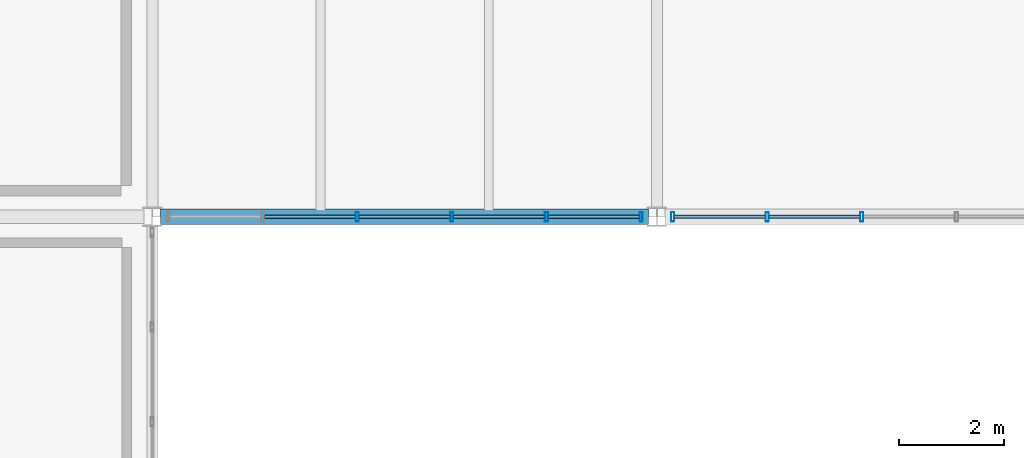
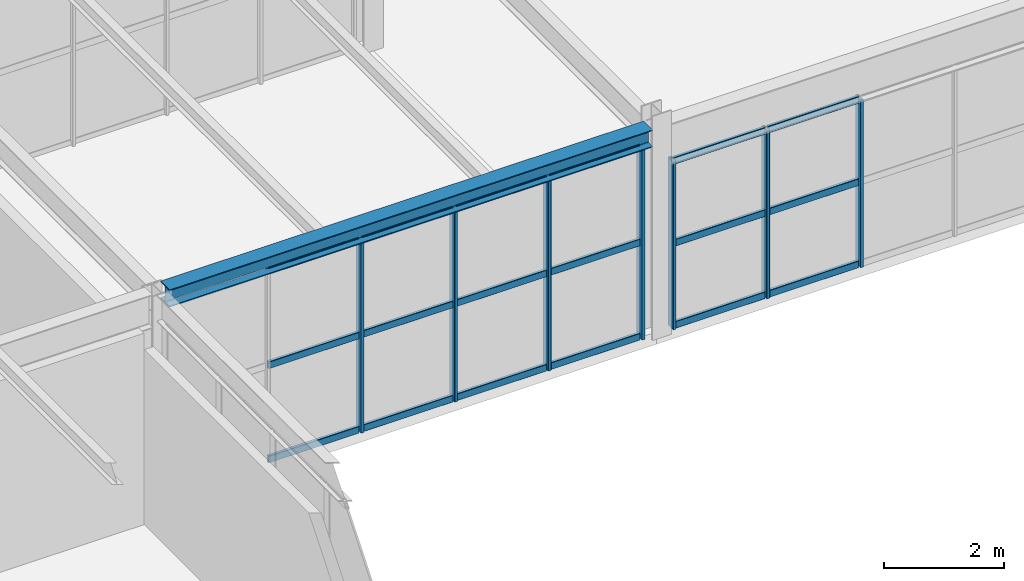
# One storey, part 50 of 170: 25 members, 1 beam, 2 elements without a shape of their own.
"""IFC4 building model written with IfcOpenShell, lengths in metres."""

import ifcopenshell
import ifcopenshell.guid

model = None  # the IFC model being written
_history = None  # IfcOwnerHistory: only IFC2X3 demands one
_inside = {}  # id of a spatial element -> (the spatial element, [elements in it])
_under = {}  # id of a project, library or spatial element -> (it, [spatial elements below it])
_declared = {}  # id of a project -> (the project, [libraries it declares])
_typed = {}  # id of a type object -> (the type object, [elements of that type])
_made_of = {}  # id of a material, layer set ... -> (it, [elements and type objects made of it])


def new_model(schema):
    """Start an empty IFC model of exactly this schema.

    Asked for "IFC4X3", IfcOpenShell would pick the latest addendum, in which some entities
    have other attributes; the version numbers below select the first issue.
    IFC2X3 requires an IfcOwnerHistory on every rooted entity: one is made here for all.
    """
    global model, _history
    if schema == "IFC4X3":
        model = ifcopenshell.file(schema_version=(4, 3, 0, 0))
    else:
        model = ifcopenshell.file(schema=schema)
    _inside.clear()
    _under.clear()
    _declared.clear()
    _typed.clear()
    _made_of.clear()
    _history = None
    if model.schema == "IFC2X3":
        org = make("IfcOrganization", Name="unknown")
        user = make(
            "IfcPersonAndOrganization",
            ThePerson=make("IfcPerson", FamilyName="unknown"),
            TheOrganization=org,
        )
        app = make(
            "IfcApplication",
            ApplicationDeveloper=org,
            Version="unknown",
            ApplicationFullName="unknown",
            ApplicationIdentifier="unknown",
        )
        _history = make(
            "IfcOwnerHistory",
            OwningUser=user,
            OwningApplication=app,
            ChangeAction="ADDED",
            CreationDate=0,
        )
    return model


def make(cls, **values):
    """One entity of the class cls with the attributes given. An attribute that is None is left unset."""
    return model.create_entity(
        cls, **{name: value for name, value in values.items() if value is not None}
    )


def rooted(cls, **values):
    """An entity with a GlobalId (a new one), such as an element, a storey or a relation."""
    return make(cls, GlobalId=ifcopenshell.guid.new(), OwnerHistory=_history, **values)


def si_unit(unit_type, name, prefix=None):
    """IfcSIUnit, for example si_unit("LENGTHUNIT", "METRE", prefix="MILLI")."""
    return make("IfcSIUnit", UnitType=unit_type, Prefix=prefix, Name=name)


def assignment(units):
    """IfcUnitAssignment: the units of a project."""
    return None if units is None else make("IfcUnitAssignment", Units=units)


def point(xyz):
    """IfcCartesianPoint."""
    return None if xyz is None else make("IfcCartesianPoint", Coordinates=xyz)


def direction(xyz):
    """IfcDirection."""
    return None if xyz is None else make("IfcDirection", DirectionRatios=xyz)


def frame(location, z_axis=None, x_axis=None):
    """IfcAxis2Placement3D, a coordinate frame: its origin and axes. An axis left out is left unset."""
    return make(
        "IfcAxis2Placement3D",
        Location=point(location),
        Axis=direction(z_axis),
        RefDirection=direction(x_axis),
    )


def frame_2d(location, x_axis=None):
    """IfcAxis2Placement2D, a coordinate frame in the plane: its origin and x axis."""
    return make(
        "IfcAxis2Placement2D", Location=point(location), RefDirection=direction(x_axis)
    )


def origin():
    """The frame at (0, 0, 0) with its axes left unset."""
    return frame((0.0, 0.0, 0.0))


def origin_2d():
    """The frame at (0, 0) in the plane with its x axis left unset."""
    return frame_2d((0.0, 0.0))


def place(relative_to, where):
    """IfcLocalPlacement: puts the frame where relative to a parent placement (None: the world)."""
    return make(
        "IfcLocalPlacement", PlacementRelTo=relative_to, RelativePlacement=where
    )


def context(
    kind, dimensions, precision=None, world=None, true_north=None, identifier=None
):
    """IfcGeometricRepresentationContext, for example the 3D "Model" context."""
    return make(
        "IfcGeometricRepresentationContext",
        ContextIdentifier=identifier,
        ContextType=kind,
        CoordinateSpaceDimension=dimensions,
        Precision=precision,
        WorldCoordinateSystem=world,
        TrueNorth=true_north,
    )


def subcontext(parent, identifier, kind, view, scale=None):
    """IfcGeometricRepresentationSubContext, for example "Body" below "Model"."""
    return make(
        "IfcGeometricRepresentationSubContext",
        ContextIdentifier=identifier,
        ContextType=kind,
        ParentContext=parent,
        TargetScale=scale,
        TargetView=view,
    )


def project(units=None, contexts=None):
    """IfcProject with its units and contexts."""
    return rooted(
        "IfcProject",
        Name="project",
        RepresentationContexts=contexts,
        UnitsInContext=assignment(units),
    )


def spatial(cls, under=None, at=None, **own):
    """A site, building, storey or space (cls), placed at a placement, below another one or the project."""
    s = rooted(cls, ObjectPlacement=at, **own)
    if under is not None:
        _under.setdefault(under.id(), (under, []))[1].append(s)
    return s


def profile(cls, at=None, kind="AREA", **sizes):
    """A parametric profile (cls). Its sizes go by their IFC names, for example OverallWidth=200.0."""
    return make(cls, ProfileType=kind, Position=at, **sizes)


def hollow_rectangle(**sizes):
    """IfcRectangleHollowProfileDef."""
    return profile("IfcRectangleHollowProfileDef", **sizes)


def i_section(**sizes):
    """IfcIShapeProfileDef."""
    return profile("IfcIShapeProfileDef", **sizes)


def extrude(swept, where, along, depth):
    """IfcExtrudedAreaSolid: the profile swept, set in the frame where, extruded along a direction by depth."""
    return make(
        "IfcExtrudedAreaSolid",
        SweptArea=swept,
        Position=where,
        ExtrudedDirection=direction(along),
        Depth=depth,
    )


def shape(context_of_items, identifier, shape_type, items):
    """IfcShapeRepresentation: the items that make up one representation, for example the "Body"."""
    return make(
        "IfcShapeRepresentation",
        ContextOfItems=context_of_items,
        RepresentationIdentifier=identifier,
        RepresentationType=shape_type,
        Items=items,
    )


def material(Name=None, Category=None):
    """IfcMaterial."""
    return make("IfcMaterial", Name=Name, Category=Category)


def material_profile(
    of_material, cross_section, Name=None, Category=None, Priority=None
):
    """IfcMaterialProfile: a cross section and its material."""
    return make(
        "IfcMaterialProfile",
        Name=Name,
        Material=of_material,
        Profile=cross_section,
        Priority=Priority,
        Category=Category,
    )


def profile_set(profiles, Name=None, composite=None):
    """IfcMaterialProfileSet."""
    return make(
        "IfcMaterialProfileSet",
        Name=Name,
        MaterialProfiles=profiles,
        CompositeProfile=composite,
    )


def made_of(thing, what):
    """Note that an element or type object is made of a material, layer set ...; save() writes the relation."""
    if what is not None:
        _made_of.setdefault(what.id(), (what, []))[1].append(thing)
    return thing


def type_object(cls, material=None, **own):
    """A type object (cls), such as IfcWallType, which elements share."""
    return made_of(rooted(cls, **own), material)


def element(
    cls,
    number,
    at=None,
    inside=None,
    cuts=None,
    type_object=None,
    material=None,
    context=None,
    identifier="Body",
    shape_type=None,
    held_by="IfcProductDefinitionShape",
    body=None,
    shapes=None,
    **own,
):
    """One element of the class cls, such as IfcWall. Its Tag is "e" and its number.

    at: its placement. inside: the storey or other place that contains it. cuts: it is an
    opening in that element (IfcRelVoidsElement). A single representation is given by context,
    identifier, shape_type and body (its items); several are given by shapes. held_by: the class
    of the entity that holds the representations. save() writes the other relations.
    """
    e = rooted(cls, Tag="e%d" % number, ObjectPlacement=at, **own)
    if body is not None:
        shapes = [shape(context, identifier, shape_type, body)]
    if shapes is not None:
        e.Representation = make(held_by, Representations=shapes)
    if inside is not None:
        _inside.setdefault(inside.id(), (inside, []))[1].append(e)
    if cuts is not None:
        rooted(
            "IfcRelVoidsElement", RelatingBuildingElement=cuts, RelatedOpeningElement=e
        )
    if type_object is not None:
        _typed.setdefault(type_object.id(), (type_object, []))[1].append(e)
    return made_of(e, material)


def aggregate(whole, parts):
    """IfcRelAggregates: a whole, such as a stair, and the parts it consists of."""
    return rooted("IfcRelAggregates", RelatingObject=whole, RelatedObjects=parts)


def save(model, path):
    """Write the relations noted so far, then the file.

    IfcRelAggregates (storeys below a building ...), IfcRelContainedInSpatialStructure (elements
    in a storey), IfcRelDefinesByType, IfcRelAssociatesMaterial and IfcRelDeclares: one each for
    every whole, place, type object, material and project.
    """
    for whole, parts in _under.values():
        aggregate(whole, parts)
    for where, things in _inside.values():
        rooted(
            "IfcRelContainedInSpatialStructure",
            RelatedElements=things,
            RelatingStructure=where,
        )
    for kind, things in _typed.values():
        rooted("IfcRelDefinesByType", RelatedObjects=things, RelatingType=kind)
    for what, things in _made_of.values():
        rooted("IfcRelAssociatesMaterial", RelatedObjects=things, RelatingMaterial=what)
    for by, libraries in _declared.values():
        rooted("IfcRelDeclares", RelatingContext=by, RelatedDefinitions=libraries)
    model.write(path)


model = new_model("IFC4")

# Units and contexts
model_context = context("Model", 3, precision=1e-05, world=origin(), true_north=direction((0.0, 1.0)))
body_context = subcontext(model_context, "Body", "Model", "MODEL_VIEW")
ifc_project = project(units=[si_unit("LENGTHUNIT", "METRE"), si_unit("AREAUNIT", "SQUARE_METRE"), si_unit("VOLUMEUNIT", "CUBIC_METRE"), si_unit("PLANEANGLEUNIT", "RADIAN"), si_unit("MASSUNIT", "GRAM", prefix="KILO")], contexts=[model_context])

# Site, building, storey
site_placement = place(None, origin())
site = spatial("IfcSite", under=ifc_project, at=site_placement, CompositionType="ELEMENT")
building_placement = place(site_placement, origin())
building = spatial("IfcBuilding", under=site, at=building_placement, Name="Coralgate Yard Interchange", CompositionType="ELEMENT")
storey_placement = place(building_placement, frame((0.0, 0.0, 6.0)))
storey = spatial("IfcBuildingStorey", under=building, at=storey_placement, Name="L01", CompositionType="ELEMENT", Elevation=6.0)

# Beam
ifc_material_1 = material(Name="Structural steel S355J2", Category="steel")
ifc_material_profile_1 = material_profile(ifc_material_1, i_section(OverallWidth=0.300048828125, OverallDepth=0.35009765625, WebThickness=0.010009765625, FlangeThickness=0.017578125, FilletRadius=0.027099609375, at=origin_2d()), Name="HEA 360")
ifc_profile_set_1 = profile_set([ifc_material_profile_1], Name="Structural steel S355J2")
beam_type = type_object("IfcBeamType", Name="BM-SP-1", PredefinedType="SPANDREL", material=ifc_profile_set_1)
beam_placement = place(storey_placement, frame((28.956298828125, 38.39990234375, 4.074951171875), z_axis=(1.0, 0.0, 0.0), x_axis=(0.0, 1.0, 0.0)))
element("IfcBeam", 1, at=beam_placement, inside=storey, type_object=beam_type, Name="L01 primary grid beam Y4 X3-4", PredefinedType="SPANDREL", context=body_context, shape_type="SweptSolid", body=[
    extrude(i_section(OverallWidth=0.300048828125, OverallDepth=0.35009765625, WebThickness=0.010009765625, FlangeThickness=0.017578125, FilletRadius=0.027099609375, at=origin_2d()), origin(), (0.0, 0.0, 1.0), 9.287353515625),
])

# Curtain wall, members
ifc_material_2 = material(Name="Anodised coastal aluminium and solar-control low-E glass", Category="aluminium")
curtain_wall_type = type_object("IfcCurtainWallType", Name="CW-CW-L01-B", PredefinedType="NOTDEFINED", material=ifc_material_2)
curtain_wall_1_placement = place(storey_placement, origin())
curtain_wall_1 = element("IfcCurtainWall", 2, at=curtain_wall_1_placement, inside=storey, type_object=curtain_wall_type, Name="L01 unitised curtain wall CW-L01-S-03-04", PredefinedType="NOTDEFINED")
ifc_material_3 = material(Name="Anodised coastal aluminium 6063-T6", Category="aluminium")
ifc_material_profile_2 = material_profile(ifc_material_3, hollow_rectangle(XDim=0.06005859375, YDim=0.179931640625, WallThickness=0.00390625, InnerFilletRadius=0.00390625, OuterFilletRadius=0.008056640625, at=origin_2d()), Name="ALU 60x180x4")
ifc_profile_set_2 = profile_set([ifc_material_profile_2], Name="Anodised coastal aluminium 6063-T6")
member_type_1 = type_object("IfcMemberType", Name="MB-MUL-180", PredefinedType="MULLION", material=ifc_profile_set_2)
member_1_placement = place(storey_placement, frame((38.10009765625, 38.39990234375, 0.0), z_axis=(0.0, 0.0, 1.0), x_axis=(1.0, 0.0, 0.0)))
member_1 = element("IfcMember", 3, at=member_1_placement, type_object=member_type_1, Name="CW-L01-S-03-04 vertical mullion 1", PredefinedType="MULLION", context=body_context, shape_type="SweptSolid", body=[
    extrude(hollow_rectangle(XDim=0.06005859375, YDim=0.179931640625, WallThickness=0.00390625, InnerFilletRadius=0.00390625, OuterFilletRadius=0.008056640625, at=origin_2d()), origin(), (0.0, 0.0, 1.0), 3.89990234375),
])
member_2_placement = place(storey_placement, frame((36.300048828125, 38.39990234375, 0.0), z_axis=(0.0, 0.0, 1.0), x_axis=(1.0, 0.0, 0.0)))
member_2 = element("IfcMember", 4, at=member_2_placement, type_object=member_type_1, Name="CW-L01-S-03-04 vertical mullion 2", PredefinedType="MULLION", context=body_context, shape_type="SweptSolid", body=[
    extrude(hollow_rectangle(XDim=0.06005859375, YDim=0.179931640625, WallThickness=0.00390625, InnerFilletRadius=0.00390625, OuterFilletRadius=0.008056640625, at=origin_2d()), origin(), (0.0, 0.0, 1.0), 3.89990234375),
])
member_3_placement = place(storey_placement, frame((34.5, 38.39990234375, 0.0), z_axis=(0.0, 0.0, 1.0), x_axis=(1.0, 0.0, 0.0)))
member_3 = element("IfcMember", 5, at=member_3_placement, type_object=member_type_1, Name="CW-L01-S-03-04 vertical mullion 3", PredefinedType="MULLION", context=body_context, shape_type="SweptSolid", body=[
    extrude(hollow_rectangle(XDim=0.06005859375, YDim=0.179931640625, WallThickness=0.00390625, InnerFilletRadius=0.00390625, OuterFilletRadius=0.008056640625, at=origin_2d()), origin(), (0.0, 0.0, 1.0), 3.89990234375),
])
member_4_placement = place(storey_placement, frame((32.699951171875, 38.39990234375, 0.0), z_axis=(0.0, 0.0, 1.0), x_axis=(1.0, 0.0, 0.0)))
member_4 = element("IfcMember", 6, at=member_4_placement, type_object=member_type_1, Name="CW-L01-S-03-04 vertical mullion 4", PredefinedType="MULLION", context=body_context, shape_type="SweptSolid", body=[
    extrude(hollow_rectangle(XDim=0.06005859375, YDim=0.179931640625, WallThickness=0.00390625, InnerFilletRadius=0.00390625, OuterFilletRadius=0.008056640625, at=origin_2d()), origin(), (0.0, 0.0, 1.0), 3.89990234375),
])

curtain_wall_2_placement = place(storey_placement, origin())
curtain_wall_2 = element("IfcCurtainWall", 7, at=curtain_wall_2_placement, inside=storey, type_object=curtain_wall_type, Name="L01 unitised curtain wall CW-L01-S-04-04", PredefinedType="NOTDEFINED")
member_5_placement = place(storey_placement, frame((42.300048828125, 38.39990234375, 0.0), z_axis=(0.0, 0.0, 1.0), x_axis=(1.0, 0.0, 0.0)))
member_5 = element("IfcMember", 8, at=member_5_placement, type_object=member_type_1, Name="CW-L01-S-04-04 vertical mullion 4", PredefinedType="MULLION", context=body_context, shape_type="SweptSolid", body=[
    extrude(hollow_rectangle(XDim=0.06005859375, YDim=0.179931640625, WallThickness=0.00390625, InnerFilletRadius=0.00390625, OuterFilletRadius=0.008056640625, at=origin_2d()), origin(), (0.0, 0.0, 1.0), 3.4091796875),
])
member_6_placement = place(storey_placement, frame((40.5, 38.39990234375, 0.0), z_axis=(0.0, 0.0, 1.0), x_axis=(1.0, 0.0, 0.0)))
member_6 = element("IfcMember", 9, at=member_6_placement, type_object=member_type_1, Name="CW-L01-S-04-04 vertical mullion 5", PredefinedType="MULLION", context=body_context, shape_type="SweptSolid", body=[
    extrude(hollow_rectangle(XDim=0.06005859375, YDim=0.179931640625, WallThickness=0.00390625, InnerFilletRadius=0.00390625, OuterFilletRadius=0.008056640625, at=origin_2d()), origin(), (0.0, 0.0, 1.0), 3.4091796875),
])
member_7_placement = place(storey_placement, frame((38.699951171875, 38.39990234375, 0.0), z_axis=(0.0, 0.0, 1.0), x_axis=(1.0, 0.0, 0.0)))
member_7 = element("IfcMember", 10, at=member_7_placement, type_object=member_type_1, Name="CW-L01-S-04-04 vertical mullion 6", PredefinedType="MULLION", context=body_context, shape_type="SweptSolid", body=[
    extrude(hollow_rectangle(XDim=0.06005859375, YDim=0.179931640625, WallThickness=0.00390625, InnerFilletRadius=0.00390625, OuterFilletRadius=0.008056640625, at=origin_2d()), origin(), (0.0, 0.0, 1.0), 3.4091796875),
])

# Member
ifc_material_profile_3 = material_profile(ifc_material_3, hollow_rectangle(XDim=0.06005859375, YDim=0.139892578125, WallThickness=0.00341796875, InnerFilletRadius=0.00341796875, OuterFilletRadius=0.007080078125, at=origin_2d()), Name="ALU 60x140x3.5")
ifc_profile_set_3 = profile_set([ifc_material_profile_3], Name="Anodised coastal aluminium 6063-T6")
member_type_2 = type_object("IfcMemberType", Name="MB-TRN-140", PredefinedType="USERDEFINED", material=ifc_profile_set_3)
member_8_placement = place(storey_placement, frame((38.070068359375, 38.39990234375, 0.034912109375), z_axis=(-1.0, 0.0, 0.0), x_axis=(0.0, -1.0, 0.0)))
member_8 = element("IfcMember", 11, at=member_8_placement, type_object=member_type_2, Name="CW-L01-S-03-04 horizontal transom 1-1", ObjectType="TRANSOM", PredefinedType="USERDEFINED", context=body_context, shape_type="SweptSolid", body=[
    extrude(hollow_rectangle(XDim=0.06005859375, YDim=0.139892578125, WallThickness=0.00341796875, InnerFilletRadius=0.00341796875, OuterFilletRadius=0.007080078125, at=origin_2d()), origin(), (0.0, 0.0, 1.0), 1.739990234375),
])

member_9_placement = place(storey_placement, frame((38.070068359375, 38.39990234375, 1.949951171875), z_axis=(-1.0, 0.0, 0.0), x_axis=(0.0, -1.0, 0.0)))
member_9 = element("IfcMember", 12, at=member_9_placement, type_object=member_type_2, Name="CW-L01-S-03-04 horizontal transom 1-2", ObjectType="TRANSOM", PredefinedType="USERDEFINED", context=body_context, shape_type="SweptSolid", body=[
    extrude(hollow_rectangle(XDim=0.06005859375, YDim=0.139892578125, WallThickness=0.00341796875, InnerFilletRadius=0.00341796875, OuterFilletRadius=0.007080078125, at=origin_2d()), origin(), (0.0, 0.0, 1.0), 1.739990234375),
])

member_10_placement = place(storey_placement, frame((38.070068359375, 38.39990234375, 3.864990234375), z_axis=(-1.0, 0.0, 0.0), x_axis=(0.0, -1.0, 0.0)))
member_10 = element("IfcMember", 13, at=member_10_placement, type_object=member_type_2, Name="CW-L01-S-03-04 horizontal transom 1-3", ObjectType="TRANSOM", PredefinedType="USERDEFINED", context=body_context, shape_type="SweptSolid", body=[
    extrude(hollow_rectangle(XDim=0.06005859375, YDim=0.139892578125, WallThickness=0.00341796875, InnerFilletRadius=0.00341796875, OuterFilletRadius=0.007080078125, at=origin_2d()), origin(), (0.0, 0.0, 1.0), 1.739990234375),
])

member_11_placement = place(storey_placement, frame((36.27001953125, 38.39990234375, 0.034912109375), z_axis=(-1.0, 0.0, 0.0), x_axis=(0.0, -1.0, 0.0)))
member_11 = element("IfcMember", 14, at=member_11_placement, type_object=member_type_2, Name="CW-L01-S-03-04 horizontal transom 2-1", ObjectType="TRANSOM", PredefinedType="USERDEFINED", context=body_context, shape_type="SweptSolid", body=[
    extrude(hollow_rectangle(XDim=0.06005859375, YDim=0.139892578125, WallThickness=0.00341796875, InnerFilletRadius=0.00341796875, OuterFilletRadius=0.007080078125, at=origin_2d()), origin(), (0.0, 0.0, 1.0), 1.739990234375),
])

member_12_placement = place(storey_placement, frame((36.27001953125, 38.39990234375, 1.949951171875), z_axis=(-1.0, 0.0, 0.0), x_axis=(0.0, -1.0, 0.0)))
member_12 = element("IfcMember", 15, at=member_12_placement, type_object=member_type_2, Name="CW-L01-S-03-04 horizontal transom 2-2", ObjectType="TRANSOM", PredefinedType="USERDEFINED", context=body_context, shape_type="SweptSolid", body=[
    extrude(hollow_rectangle(XDim=0.06005859375, YDim=0.139892578125, WallThickness=0.00341796875, InnerFilletRadius=0.00341796875, OuterFilletRadius=0.007080078125, at=origin_2d()), origin(), (0.0, 0.0, 1.0), 1.739990234375),
])

member_13_placement = place(storey_placement, frame((36.27001953125, 38.39990234375, 3.864990234375), z_axis=(-1.0, 0.0, 0.0), x_axis=(0.0, -1.0, 0.0)))
member_13 = element("IfcMember", 16, at=member_13_placement, type_object=member_type_2, Name="CW-L01-S-03-04 horizontal transom 2-3", ObjectType="TRANSOM", PredefinedType="USERDEFINED", context=body_context, shape_type="SweptSolid", body=[
    extrude(hollow_rectangle(XDim=0.06005859375, YDim=0.139892578125, WallThickness=0.00341796875, InnerFilletRadius=0.00341796875, OuterFilletRadius=0.007080078125, at=origin_2d()), origin(), (0.0, 0.0, 1.0), 1.739990234375),
])

member_14_placement = place(storey_placement, frame((34.469970703125, 38.39990234375, 0.034912109375), z_axis=(-1.0, 0.0, 0.0), x_axis=(0.0, -1.0, 0.0)))
member_14 = element("IfcMember", 17, at=member_14_placement, type_object=member_type_2, Name="CW-L01-S-03-04 horizontal transom 3-1", ObjectType="TRANSOM", PredefinedType="USERDEFINED", context=body_context, shape_type="SweptSolid", body=[
    extrude(hollow_rectangle(XDim=0.06005859375, YDim=0.139892578125, WallThickness=0.00341796875, InnerFilletRadius=0.00341796875, OuterFilletRadius=0.007080078125, at=origin_2d()), origin(), (0.0, 0.0, 1.0), 1.739990234375),
])

member_15_placement = place(storey_placement, frame((34.469970703125, 38.39990234375, 1.949951171875), z_axis=(-1.0, 0.0, 0.0), x_axis=(0.0, -1.0, 0.0)))
member_15 = element("IfcMember", 18, at=member_15_placement, type_object=member_type_2, Name="CW-L01-S-03-04 horizontal transom 3-2", ObjectType="TRANSOM", PredefinedType="USERDEFINED", context=body_context, shape_type="SweptSolid", body=[
    extrude(hollow_rectangle(XDim=0.06005859375, YDim=0.139892578125, WallThickness=0.00341796875, InnerFilletRadius=0.00341796875, OuterFilletRadius=0.007080078125, at=origin_2d()), origin(), (0.0, 0.0, 1.0), 1.739990234375),
])

member_16_placement = place(storey_placement, frame((34.469970703125, 38.39990234375, 3.864990234375), z_axis=(-1.0, 0.0, 0.0), x_axis=(0.0, -1.0, 0.0)))
member_16 = element("IfcMember", 19, at=member_16_placement, type_object=member_type_2, Name="CW-L01-S-03-04 horizontal transom 3-3", ObjectType="TRANSOM", PredefinedType="USERDEFINED", context=body_context, shape_type="SweptSolid", body=[
    extrude(hollow_rectangle(XDim=0.06005859375, YDim=0.139892578125, WallThickness=0.00341796875, InnerFilletRadius=0.00341796875, OuterFilletRadius=0.007080078125, at=origin_2d()), origin(), (0.0, 0.0, 1.0), 1.739990234375),
])

member_17_placement = place(storey_placement, frame((32.669921875, 38.39990234375, 0.034912109375), z_axis=(-1.0, 0.0, 0.0), x_axis=(0.0, -1.0, 0.0)))
member_17 = element("IfcMember", 20, at=member_17_placement, type_object=member_type_2, Name="CW-L01-S-03-04 horizontal transom 4-1", ObjectType="TRANSOM", PredefinedType="USERDEFINED", context=body_context, shape_type="SweptSolid", body=[
    extrude(hollow_rectangle(XDim=0.06005859375, YDim=0.139892578125, WallThickness=0.00341796875, InnerFilletRadius=0.00341796875, OuterFilletRadius=0.007080078125, at=origin_2d()), origin(), (0.0, 0.0, 1.0), 1.739990234375),
])

member_18_placement = place(storey_placement, frame((32.669921875, 38.39990234375, 1.949951171875), z_axis=(-1.0, 0.0, 0.0), x_axis=(0.0, -1.0, 0.0)))
member_18 = element("IfcMember", 21, at=member_18_placement, type_object=member_type_2, Name="CW-L01-S-03-04 horizontal transom 4-2", ObjectType="TRANSOM", PredefinedType="USERDEFINED", context=body_context, shape_type="SweptSolid", body=[
    extrude(hollow_rectangle(XDim=0.06005859375, YDim=0.139892578125, WallThickness=0.00341796875, InnerFilletRadius=0.00341796875, OuterFilletRadius=0.007080078125, at=origin_2d()), origin(), (0.0, 0.0, 1.0), 1.739990234375),
])

member_19_placement = place(storey_placement, frame((32.669921875, 38.39990234375, 3.864990234375), z_axis=(-1.0, 0.0, 0.0), x_axis=(0.0, -1.0, 0.0)))
member_19 = element("IfcMember", 22, at=member_19_placement, type_object=member_type_2, Name="CW-L01-S-03-04 horizontal transom 4-3", ObjectType="TRANSOM", PredefinedType="USERDEFINED", context=body_context, shape_type="SweptSolid", body=[
    extrude(hollow_rectangle(XDim=0.06005859375, YDim=0.139892578125, WallThickness=0.00341796875, InnerFilletRadius=0.00341796875, OuterFilletRadius=0.007080078125, at=origin_2d()), origin(), (0.0, 0.0, 1.0), 1.739990234375),
])

aggregate(curtain_wall_1, [member_1, member_2, member_3, member_4, member_8, member_9, member_10, member_11, member_12, member_13, member_14, member_15, member_16, member_17, member_18, member_19])

member_20_placement = place(storey_placement, frame((42.27001953125, 38.39990234375, 0.034912109375), z_axis=(-1.0, 0.0, 0.0), x_axis=(0.0, -1.0, 0.0)))
member_20 = element("IfcMember", 23, at=member_20_placement, type_object=member_type_2, Name="CW-L01-S-04-04 horizontal transom 4-1", ObjectType="TRANSOM", PredefinedType="USERDEFINED", context=body_context, shape_type="SweptSolid", body=[
    extrude(hollow_rectangle(XDim=0.06005859375, YDim=0.139892578125, WallThickness=0.00341796875, InnerFilletRadius=0.00341796875, OuterFilletRadius=0.007080078125, at=origin_2d()), origin(), (0.0, 0.0, 1.0), 1.739990234375),
])

member_21_placement = place(storey_placement, frame((42.27001953125, 38.39990234375, 1.70458984375), z_axis=(-1.0, 0.0, 0.0), x_axis=(0.0, -1.0, 0.0)))
member_21 = element("IfcMember", 24, at=member_21_placement, type_object=member_type_2, Name="CW-L01-S-04-04 horizontal transom 4-2", ObjectType="TRANSOM", PredefinedType="USERDEFINED", context=body_context, shape_type="SweptSolid", body=[
    extrude(hollow_rectangle(XDim=0.06005859375, YDim=0.139892578125, WallThickness=0.00341796875, InnerFilletRadius=0.00341796875, OuterFilletRadius=0.007080078125, at=origin_2d()), origin(), (0.0, 0.0, 1.0), 1.739990234375),
])

member_22_placement = place(storey_placement, frame((42.27001953125, 38.39990234375, 3.374267578125), z_axis=(-1.0, 0.0, 0.0), x_axis=(0.0, -1.0, 0.0)))
member_22 = element("IfcMember", 25, at=member_22_placement, type_object=member_type_2, Name="CW-L01-S-04-04 horizontal transom 4-3", ObjectType="TRANSOM", PredefinedType="USERDEFINED", context=body_context, shape_type="SweptSolid", body=[
    extrude(hollow_rectangle(XDim=0.06005859375, YDim=0.139892578125, WallThickness=0.00341796875, InnerFilletRadius=0.00341796875, OuterFilletRadius=0.007080078125, at=origin_2d()), origin(), (0.0, 0.0, 1.0), 1.739990234375),
])

member_23_placement = place(storey_placement, frame((40.469970703125, 38.39990234375, 0.034912109375), z_axis=(-1.0, 0.0, 0.0), x_axis=(0.0, -1.0, 0.0)))
member_23 = element("IfcMember", 26, at=member_23_placement, type_object=member_type_2, Name="CW-L01-S-04-04 horizontal transom 5-1", ObjectType="TRANSOM", PredefinedType="USERDEFINED", context=body_context, shape_type="SweptSolid", body=[
    extrude(hollow_rectangle(XDim=0.06005859375, YDim=0.139892578125, WallThickness=0.00341796875, InnerFilletRadius=0.00341796875, OuterFilletRadius=0.007080078125, at=origin_2d()), origin(), (0.0, 0.0, 1.0), 1.739990234375),
])

member_24_placement = place(storey_placement, frame((40.469970703125, 38.39990234375, 1.70458984375), z_axis=(-1.0, 0.0, 0.0), x_axis=(0.0, -1.0, 0.0)))
member_24 = element("IfcMember", 27, at=member_24_placement, type_object=member_type_2, Name="CW-L01-S-04-04 horizontal transom 5-2", ObjectType="TRANSOM", PredefinedType="USERDEFINED", context=body_context, shape_type="SweptSolid", body=[
    extrude(hollow_rectangle(XDim=0.06005859375, YDim=0.139892578125, WallThickness=0.00341796875, InnerFilletRadius=0.00341796875, OuterFilletRadius=0.007080078125, at=origin_2d()), origin(), (0.0, 0.0, 1.0), 1.739990234375),
])

member_25_placement = place(storey_placement, frame((40.469970703125, 38.39990234375, 3.374267578125), z_axis=(-1.0, 0.0, 0.0), x_axis=(0.0, -1.0, 0.0)))
member_25 = element("IfcMember", 28, at=member_25_placement, type_object=member_type_2, Name="CW-L01-S-04-04 horizontal transom 5-3", ObjectType="TRANSOM", PredefinedType="USERDEFINED", context=body_context, shape_type="SweptSolid", body=[
    extrude(hollow_rectangle(XDim=0.06005859375, YDim=0.139892578125, WallThickness=0.00341796875, InnerFilletRadius=0.00341796875, OuterFilletRadius=0.007080078125, at=origin_2d()), origin(), (0.0, 0.0, 1.0), 1.739990234375),
])

aggregate(curtain_wall_2, [member_5, member_6, member_7, member_20, member_21, member_22, member_23, member_24, member_25])

save(model, "model.ifc")
